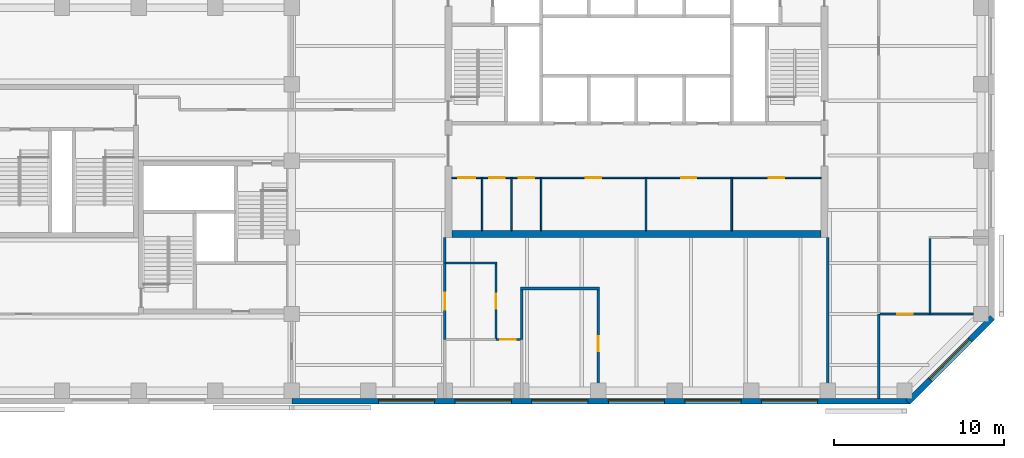
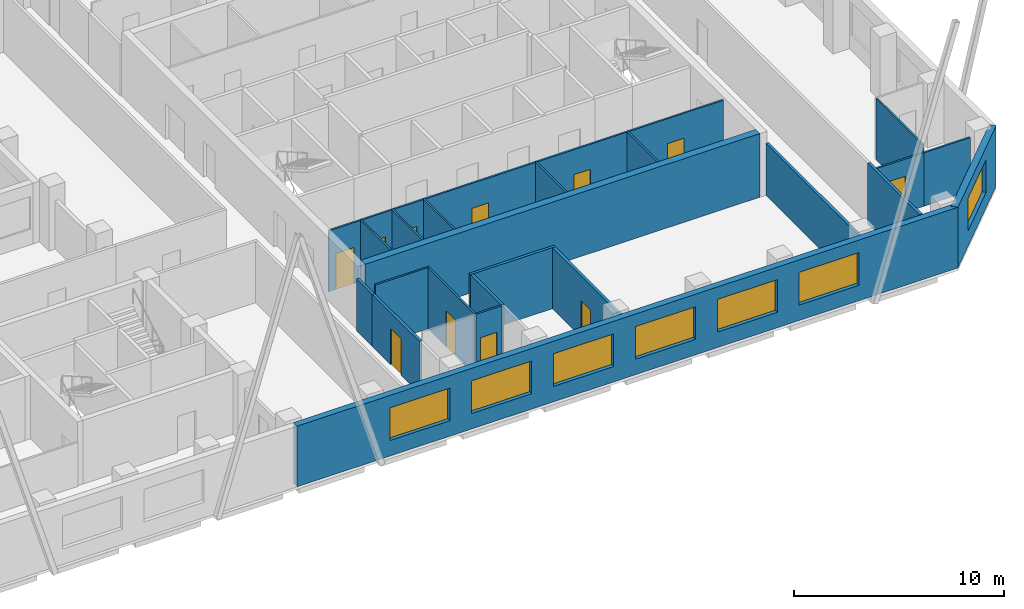
# One storey, part 4 of 9: 22 walls, 11 doors, 7 windows, 18 openings.
"""IFC4 building model written with IfcOpenShell, lengths in metres."""

from ifc_helpers import new_model, si_unit, direction, frame, frame_2d, origin, place, context, subcontext, project, spatial, rectangle, extrude, material, layer, layer_set, constituent, constituent_set, type_object, element, fill, save


model = new_model("IFC4")

# Units and contexts
model_context = context("Model", 3, precision=1e-05, world=origin(), true_north=direction((0.0, 1.0)))
body_context = subcontext(model_context, "Body", "Model", "MODEL_VIEW")
ifc_project = project(units=[si_unit("LENGTHUNIT", "METRE"), si_unit("AREAUNIT", "SQUARE_METRE"), si_unit("VOLUMEUNIT", "CUBIC_METRE"), si_unit("PLANEANGLEUNIT", "RADIAN"), si_unit("MASSUNIT", "GRAM", prefix="KILO")], contexts=[model_context])

# Site, building, storey
site_placement = place(None, origin())
site = spatial("IfcSite", under=ifc_project, at=site_placement, CompositionType="ELEMENT")
building_placement = place(site_placement, origin())
building = spatial("IfcBuilding", under=site, at=building_placement, Name="Quoin Convention Tower", CompositionType="ELEMENT")
storey_placement = place(building_placement, frame((0.0, 0.0, 173.60009765625)))
storey = spatial("IfcBuildingStorey", under=building, at=storey_placement, Name="L45", CompositionType="ELEMENT", Elevation=173.60009765625)

# Wall
ifc_material_1 = material(Name="Plasterboard")
ifc_layer_1 = layer(ifc_material_1, 0.012451171875, Name="Finish")
ifc_material_2 = material(Name="Steel stud framing", Category="steel")
ifc_layer_2 = layer(ifc_material_2, 0.125, Name="Structure")
ifc_layer_3 = layer(ifc_material_1, 0.012451171875, Name="Finish")
ifc_layer_set_1 = layer_set([ifc_layer_1, ifc_layer_2, ifc_layer_3], Name="Steel stud framing")
wall_type_1 = type_object("IfcWallType", Name="Acoustic partition 150", PredefinedType="PARTITIONING", material=ifc_layer_set_1)
wall_1_placement = place(storey_placement, frame((49.425048828125, 46.5, 0.0), z_axis=(0.0, 0.0, 1.0), x_axis=(1.0, 0.0, 0.0)))
element("IfcWall", 1, at=wall_1_placement, inside=storey, type_object=wall_type_1, Name="pw-L45-009", PredefinedType="PARTITIONING", context=body_context, shape_type="SweptSolid", body=[
    extrude(rectangle(XDim=4.64990234375, YDim=0.14990234375, at=frame_2d((2.324951171875, 0.0))), origin(), (0.0, 0.0, 1.0), 3.5498046875),
])

# Wall, opening, door
wall_2_placement = place(storey_placement, frame((54.0, 40.050048828125, 0.0), z_axis=(0.0, 0.0, 1.0), x_axis=(0.0, 1.0, 0.0)))
wall_2 = element("IfcWall", 2, at=wall_2_placement, inside=storey, type_object=wall_type_1, Name="pw-L45-030", PredefinedType="PARTITIONING", context=body_context, shape_type="SweptSolid", body=[
    extrude(rectangle(XDim=6.375, YDim=0.14990234375, at=frame_2d((3.1875, 0.0))), origin(), (0.0, 0.0, 1.0), 3.5498046875),
])
opening_1_placement = place(wall_2_placement, frame((2.75, 0.0, 0.0)))
opening_1 = element("IfcOpeningElement", 3, at=opening_1_placement, cuts=wall_2, Name="Opening DOH4-10", PredefinedType="OPENING", context=body_context, shape_type="SweptSolid", body=[
    extrude(rectangle(XDim=0.89990234375, YDim=2.10009765625, at=frame_2d((0.449951171875, 1.050048828125))), frame((0.0, 0.0849609375, 0.0), z_axis=(0.0, -1.0, 0.0), x_axis=(1.0, 0.0, 0.0)), (0.0, 0.0, 1.0), 0.169921875),
])
ifc_material_3 = material(Name="Steel door leaf", Category="steel")
door_type_1 = type_object("IfcDoorType", Name="Office door 900 x 2100", OperationType="SINGLE_SWING_RIGHT", PredefinedType="DOOR", material=ifc_material_3)
door_1_placement = place(opening_1_placement, frame((0.89990234375, 0.0, 0.0), z_axis=(0.0, 0.0, 1.0), x_axis=(-1.0, 0.0, 0.0)))
door_1 = element("IfcDoor", 4, at=door_1_placement, inside=storey, type_object=door_type_1, Name="dr-L45-13", OperationType="SINGLE_SWING_LEFT", OverallHeight=2.10009765625, OverallWidth=0.89990234375, PredefinedType="DOOR", context=body_context, shape_type="SweptSolid", body=[
    extrude(rectangle(XDim=0.89990234375, YDim=2.10009765625, at=frame_2d((0.449951171875, 1.050048828125))), frame((0.0, 0.02490234375, 0.0), z_axis=(0.0, -1.0, 0.0), x_axis=(1.0, 0.0, 0.0)), (0.0, 0.0, 1.0), 0.050048828125),
])
fill(opening_1, door_1)

# Wall
wall_3_placement = place(storey_placement, frame((49.5, 43.5, 0.0), z_axis=(0.0, 0.0, 1.0), x_axis=(0.0, 1.0, 0.0)))
element("IfcWall", 5, at=wall_3_placement, inside=storey, type_object=wall_type_1, Name="pw-L45-036", PredefinedType="PARTITIONING", context=body_context, shape_type="SweptSolid", body=[
    extrude(rectangle(XDim=2.925048828125, YDim=0.14990234375, at=frame_2d((1.46240234375, 0.0))), origin(), (0.0, 0.0, 1.0), 3.5498046875),
])

# Wall, openings, windows
ifc_material_4 = material(Name="Brick masonry", Category="masonry")
ifc_layer_4 = layer(ifc_material_4, 0.35009765625)
ifc_layer_set_2 = layer_set([ifc_layer_4], Name="Brick masonry")
wall_type_2 = type_object("IfcWallType", Name="Brick facade wall", PredefinedType="STANDARD", material=ifc_layer_set_2)
wall_4_placement = place(storey_placement, frame((36.0, 39.875, 0.0), z_axis=(0.0, 0.0, 1.0), x_axis=(1.0, 0.0, 0.0)))
wall_4 = element("IfcWall", 6, at=wall_4_placement, inside=storey, type_object=wall_type_2, Name="fw-L45-36000_40500", PredefinedType="STANDARD", context=body_context, shape_type="SweptSolid", body=[
    extrude(rectangle(XDim=36.331298828125, YDim=0.35009765625, at=frame_2d((18.16552734375, 0.0))), origin(), (0.0, 0.0, 1.0), 3.52490234375),
])
opening_2_placement = place(wall_4_placement, frame((5.10009765625, 0.0, 0.89990234375)))
opening_2 = element("IfcOpeningElement", 7, at=opening_2_placement, cuts=wall_4, Name="Opening W-02", PredefinedType="OPENING", context=body_context, shape_type="SweptSolid", body=[
    extrude(rectangle(XDim=3.300048828125, YDim=1.89990234375, at=frame_2d((1.64990234375, 0.949951171875))), frame((0.0, 0.18505859375, 0.0), z_axis=(0.0, -1.0, 0.0), x_axis=(1.0, 0.0, 0.0)), (0.0, 0.0, 1.0), 0.3701171875),
])
opening_3_placement = place(wall_4_placement, frame((9.60009765625, 0.0, 0.89990234375)))
opening_3 = element("IfcOpeningElement", 8, at=opening_3_placement, cuts=wall_4, Name="Opening W-02", PredefinedType="OPENING", context=body_context, shape_type="SweptSolid", body=[
    extrude(rectangle(XDim=3.300048828125, YDim=1.89990234375, at=frame_2d((1.64990234375, 0.949951171875))), frame((0.0, 0.18505859375, 0.0), z_axis=(0.0, -1.0, 0.0), x_axis=(1.0, 0.0, 0.0)), (0.0, 0.0, 1.0), 0.3701171875),
])
opening_4_placement = place(wall_4_placement, frame((14.10009765625, 0.0, 0.89990234375)))
opening_4 = element("IfcOpeningElement", 9, at=opening_4_placement, cuts=wall_4, Name="Opening W-02", PredefinedType="OPENING", context=body_context, shape_type="SweptSolid", body=[
    extrude(rectangle(XDim=3.300048828125, YDim=1.89990234375, at=frame_2d((1.64990234375, 0.949951171875))), frame((0.0, 0.18505859375, 0.0), z_axis=(0.0, -1.0, 0.0), x_axis=(1.0, 0.0, 0.0)), (0.0, 0.0, 1.0), 0.3701171875),
])
opening_5_placement = place(wall_4_placement, frame((18.60009765625, 0.0, 0.89990234375)))
opening_5 = element("IfcOpeningElement", 10, at=opening_5_placement, cuts=wall_4, Name="Opening W-02", PredefinedType="OPENING", context=body_context, shape_type="SweptSolid", body=[
    extrude(rectangle(XDim=3.300048828125, YDim=1.89990234375, at=frame_2d((1.64990234375, 0.949951171875))), frame((0.0, 0.18505859375, 0.0), z_axis=(0.0, -1.0, 0.0), x_axis=(1.0, 0.0, 0.0)), (0.0, 0.0, 1.0), 0.3701171875),
])
opening_6_placement = place(wall_4_placement, frame((23.10009765625, 0.0, 0.89990234375)))
opening_6 = element("IfcOpeningElement", 11, at=opening_6_placement, cuts=wall_4, Name="Opening W-02", PredefinedType="OPENING", context=body_context, shape_type="SweptSolid", body=[
    extrude(rectangle(XDim=3.300048828125, YDim=1.89990234375, at=frame_2d((1.64990234375, 0.949951171875))), frame((0.0, 0.18505859375, 0.0), z_axis=(0.0, -1.0, 0.0), x_axis=(1.0, 0.0, 0.0)), (0.0, 0.0, 1.0), 0.3701171875),
])
opening_7_placement = place(wall_4_placement, frame((27.60009765625, 0.0, 0.89990234375)))
opening_7 = element("IfcOpeningElement", 12, at=opening_7_placement, cuts=wall_4, Name="Opening W-02", PredefinedType="OPENING", context=body_context, shape_type="SweptSolid", body=[
    extrude(rectangle(XDim=3.300048828125, YDim=1.89990234375, at=frame_2d((1.64990234375, 0.949951171875))), frame((0.0, 0.18505859375, 0.0), z_axis=(0.0, -1.0, 0.0), x_axis=(1.0, 0.0, 0.0)), (0.0, 0.0, 1.0), 0.3701171875),
])
ifc_material_5 = material(Name="Aluminium", Category="aluminium")
ifc_constituent_1 = constituent(ifc_material_5, Name="Frame")
ifc_material_6 = material(Name="Insulated glass", Category="glass")
ifc_constituent_2 = constituent(ifc_material_6, Name="Glazing")
ifc_constituent_set = constituent_set(constituents=[ifc_constituent_1, ifc_constituent_2], Name="Aluminium")
window_type = type_object("IfcWindowType", Name="Office window", PartitioningType="DOUBLE_PANEL_VERTICAL", PredefinedType="WINDOW", material=ifc_constituent_set)
window_1_placement = place(opening_2_placement, origin())
window_1 = element("IfcWindow", 13, at=window_1_placement, inside=storey, type_object=window_type, Name="win-L45-42750_39875", OverallHeight=1.89990234375, OverallWidth=3.300048828125, PartitioningType="SINGLE_PANEL", PredefinedType="WINDOW", context=body_context, shape_type="SweptSolid", body=[
    extrude(rectangle(XDim=3.300048828125, YDim=1.89990234375, at=frame_2d((1.64990234375, 0.949951171875))), frame((0.0, 0.0849609375, 0.0), z_axis=(0.0, -1.0, 0.0), x_axis=(1.0, 0.0, 0.0)), (0.0, 0.0, 1.0), 0.06005859375),
])
fill(opening_2, window_1)
window_2_placement = place(opening_3_placement, origin())
window_2 = element("IfcWindow", 14, at=window_2_placement, inside=storey, type_object=window_type, Name="win-L45-47250_39875", OverallHeight=1.89990234375, OverallWidth=3.300048828125, PartitioningType="SINGLE_PANEL", PredefinedType="WINDOW", context=body_context, shape_type="SweptSolid", body=[
    extrude(rectangle(XDim=3.300048828125, YDim=1.89990234375, at=frame_2d((1.64990234375, 0.949951171875))), frame((0.0, 0.0849609375, 0.0), z_axis=(0.0, -1.0, 0.0), x_axis=(1.0, 0.0, 0.0)), (0.0, 0.0, 1.0), 0.06005859375),
])
fill(opening_3, window_2)
window_3_placement = place(opening_4_placement, origin())
window_3 = element("IfcWindow", 15, at=window_3_placement, inside=storey, type_object=window_type, Name="win-L45-51750_39875", OverallHeight=1.89990234375, OverallWidth=3.300048828125, PartitioningType="SINGLE_PANEL", PredefinedType="WINDOW", context=body_context, shape_type="SweptSolid", body=[
    extrude(rectangle(XDim=3.300048828125, YDim=1.89990234375, at=frame_2d((1.64990234375, 0.949951171875))), frame((0.0, 0.0849609375, 0.0), z_axis=(0.0, -1.0, 0.0), x_axis=(1.0, 0.0, 0.0)), (0.0, 0.0, 1.0), 0.06005859375),
])
fill(opening_4, window_3)
window_4_placement = place(opening_5_placement, origin())
window_4 = element("IfcWindow", 16, at=window_4_placement, inside=storey, type_object=window_type, Name="win-L45-56250_39875", OverallHeight=1.89990234375, OverallWidth=3.300048828125, PartitioningType="SINGLE_PANEL", PredefinedType="WINDOW", context=body_context, shape_type="SweptSolid", body=[
    extrude(rectangle(XDim=3.300048828125, YDim=1.89990234375, at=frame_2d((1.64990234375, 0.949951171875))), frame((0.0, 0.0849609375, 0.0), z_axis=(0.0, -1.0, 0.0), x_axis=(1.0, 0.0, 0.0)), (0.0, 0.0, 1.0), 0.06005859375),
])
fill(opening_5, window_4)
window_5_placement = place(opening_6_placement, origin())
window_5 = element("IfcWindow", 17, at=window_5_placement, inside=storey, type_object=window_type, Name="win-L45-60750_39875", OverallHeight=1.89990234375, OverallWidth=3.300048828125, PartitioningType="SINGLE_PANEL", PredefinedType="WINDOW", context=body_context, shape_type="SweptSolid", body=[
    extrude(rectangle(XDim=3.300048828125, YDim=1.89990234375, at=frame_2d((1.64990234375, 0.949951171875))), frame((0.0, 0.0849609375, 0.0), z_axis=(0.0, -1.0, 0.0), x_axis=(1.0, 0.0, 0.0)), (0.0, 0.0, 1.0), 0.06005859375),
])
fill(opening_6, window_5)
window_6_placement = place(opening_7_placement, origin())
window_6 = element("IfcWindow", 18, at=window_6_placement, inside=storey, type_object=window_type, Name="win-L45-65250_39875", OverallHeight=1.89990234375, OverallWidth=3.300048828125, PartitioningType="SINGLE_PANEL", PredefinedType="WINDOW", context=body_context, shape_type="SweptSolid", body=[
    extrude(rectangle(XDim=3.300048828125, YDim=1.89990234375, at=frame_2d((1.64990234375, 0.949951171875))), frame((0.0, 0.0849609375, 0.0), z_axis=(0.0, -1.0, 0.0), x_axis=(1.0, 0.0, 0.0)), (0.0, 0.0, 1.0), 0.06005859375),
])
fill(opening_7, window_6)

# Wall, opening, window
wall_5_placement = place(storey_placement, frame((72.20751953125, 39.82373046875, 0.0), z_axis=(0.0, 0.0, 1.0), x_axis=(0.707106781187, 0.707106781187, 0.0)))
wall_5 = element("IfcWall", 19, at=wall_5_placement, inside=storey, type_object=wall_type_2, Name="fw-L45-72000_40500", PredefinedType="STANDARD", context=body_context, shape_type="SweptSolid", body=[
    extrude(rectangle(XDim=7.02685546875, YDim=0.35009765625, at=frame_2d((3.513427734375, 0.0))), origin(), (0.0, 0.0, 1.0), 3.52490234375),
])
opening_8_placement = place(wall_5_placement, frame((1.86328125, 0.0, 0.89990234375)))
opening_8 = element("IfcOpeningElement", 20, at=opening_8_placement, cuts=wall_5, Name="Opening W-02", PredefinedType="OPENING", context=body_context, shape_type="SweptSolid", body=[
    extrude(rectangle(XDim=3.300048828125, YDim=1.89990234375, at=frame_2d((1.64990234375, 0.949951171875))), frame((0.0, 0.18505859375, 0.0), z_axis=(0.0, -1.0, 0.0), x_axis=(1.0, 0.0, 0.0)), (0.0, 0.0, 1.0), 0.3701171875),
])
window_7_placement = place(opening_8_placement, origin())
window_7 = element("IfcWindow", 21, at=window_7_placement, inside=storey, type_object=window_type, Name="win-L45-74692_42308", OverallHeight=1.89990234375, OverallWidth=3.300048828125, PartitioningType="SINGLE_PANEL", PredefinedType="WINDOW", context=body_context, shape_type="SweptSolid", body=[
    extrude(rectangle(XDim=3.300048828125, YDim=1.89990234375, at=frame_2d((1.64990234375, 0.949951171875))), frame((0.0, 0.0849609375, 0.0), z_axis=(0.0, -1.0, 0.0), x_axis=(1.0, 0.0, 0.0)), (0.0, 0.0, 1.0), 0.06005859375),
])
fill(opening_8, window_7)

# Wall, openings, doors
ifc_layer_5 = layer(ifc_material_1, 0.012451171875, Name="Finish")
ifc_layer_6 = layer(ifc_material_2, 0.074951171875, Name="Structure")
ifc_layer_7 = layer(ifc_material_1, 0.012451171875, Name="Finish")
ifc_layer_set_3 = layer_set([ifc_layer_5, ifc_layer_6, ifc_layer_7], Name="Steel stud framing")
wall_type_3 = type_object("IfcWallType", Name="Core partition wall", PredefinedType="PARTITIONING", material=ifc_layer_set_3)
wall_6_placement = place(storey_placement, frame((45.39990234375, 53.0, 0.0), z_axis=(0.0, 0.0, 1.0), x_axis=(1.0, 0.0, 0.0)))
wall_6 = element("IfcWall", 22, at=wall_6_placement, inside=storey, type_object=wall_type_3, Name="cr-C1-L45-h3500_400", PredefinedType="PARTITIONING", context=body_context, shape_type="SweptSolid", body=[
    extrude(rectangle(XDim=21.7001953125, YDim=0.10009765625, at=frame_2d((10.85009765625, 0.0))), origin(), (0.0, 0.0, 1.0), 3.5498046875),
])
opening_9_placement = place(wall_6_placement, frame((18.625, 0.0, 0.0)))
opening_9 = element("IfcOpeningElement", 23, at=opening_9_placement, cuts=wall_6, Name="Opening DCV3-30", PredefinedType="OPENING", context=body_context, shape_type="SweptSolid", body=[
    extrude(rectangle(XDim=0.89990234375, YDim=2.10009765625, at=frame_2d((0.449951171875, 1.050048828125))), frame((0.0, 0.06005859375, 0.0), z_axis=(0.0, -1.0, 0.0), x_axis=(1.0, 0.0, 0.0)), (0.0, 0.0, 1.0), 0.1201171875),
])
opening_10_placement = place(wall_6_placement, frame((0.392578125, 0.0, 0.0)))
opening_10 = element("IfcOpeningElement", 24, at=opening_10_placement, cuts=wall_6, Name="Opening DCV3-21", PredefinedType="OPENING", context=body_context, shape_type="SweptSolid", body=[
    extrude(rectangle(XDim=1.0, YDim=2.10009765625, at=frame_2d((0.5, 1.050048828125))), frame((0.0, 0.06005859375, 0.0), z_axis=(0.0, -1.0, 0.0), x_axis=(1.0, 0.0, 0.0)), (0.0, 0.0, 1.0), 0.1201171875),
])
opening_11_placement = place(wall_6_placement, frame((2.201416015625, 0.0, 0.0)))
opening_11 = element("IfcOpeningElement", 25, at=opening_11_placement, cuts=wall_6, Name="Opening DCV3-22", PredefinedType="OPENING", context=body_context, shape_type="SweptSolid", body=[
    extrude(rectangle(XDim=0.89990234375, YDim=2.10009765625, at=frame_2d((0.449951171875, 1.050048828125))), frame((0.0, 0.06005859375, 0.0), z_axis=(0.0, -1.0, 0.0), x_axis=(1.0, 0.0, 0.0)), (0.0, 0.0, 1.0), 0.1201171875),
])
opening_12_placement = place(wall_6_placement, frame((3.93359375, 0.0, 0.0)))
opening_12 = element("IfcOpeningElement", 26, at=opening_12_placement, cuts=wall_6, Name="Opening DCV3-23", PredefinedType="OPENING", context=body_context, shape_type="SweptSolid", body=[
    extrude(rectangle(XDim=0.89990234375, YDim=2.10009765625, at=frame_2d((0.449951171875, 1.050048828125))), frame((0.0, 0.06005859375, 0.0), z_axis=(0.0, -1.0, 0.0), x_axis=(1.0, 0.0, 0.0)), (0.0, 0.0, 1.0), 0.1201171875),
])
opening_13_placement = place(wall_6_placement, frame((7.8798828125, 0.0, 0.0)))
opening_13 = element("IfcOpeningElement", 27, at=opening_13_placement, cuts=wall_6, Name="Opening DCV3-25", PredefinedType="OPENING", context=body_context, shape_type="SweptSolid", body=[
    extrude(rectangle(XDim=0.89990234375, YDim=2.10009765625, at=frame_2d((0.449951171875, 1.050048828125))), frame((0.0, 0.06005859375, 0.0), z_axis=(0.0, -1.0, 0.0), x_axis=(1.0, 0.0, 0.0)), (0.0, 0.0, 1.0), 0.1201171875),
])
opening_14_placement = place(wall_6_placement, frame((13.47998046875, 0.0, 0.0)))
opening_14 = element("IfcOpeningElement", 28, at=opening_14_placement, cuts=wall_6, Name="Opening DCV3-28", PredefinedType="OPENING", context=body_context, shape_type="SweptSolid", body=[
    extrude(rectangle(XDim=0.89990234375, YDim=2.10009765625, at=frame_2d((0.449951171875, 1.050048828125))), frame((0.0, 0.06005859375, 0.0), z_axis=(0.0, -1.0, 0.0), x_axis=(1.0, 0.0, 0.0)), (0.0, 0.0, 1.0), 0.1201171875),
])
door_type_2 = type_object("IfcDoorType", Name="Core room door 1000 x 2100", OperationType="SINGLE_SWING_LEFT", PredefinedType="DOOR", material=ifc_material_3)
door_2_placement = place(opening_10_placement, frame((1.0, 0.0, 0.0), z_axis=(0.0, 0.0, 1.0), x_axis=(-1.0, 0.0, 0.0)))
door_2 = element("IfcDoor", 29, at=door_2_placement, inside=storey, type_object=door_type_2, Name="cd-C1-L45-CSW0-lobA-CD4512", OperationType="SINGLE_SWING_LEFT", OverallHeight=2.10009765625, OverallWidth=1.0, PredefinedType="DOOR", context=body_context, shape_type="SweptSolid", body=[
    extrude(rectangle(XDim=1.0, YDim=2.10009765625, at=frame_2d((0.5, 1.050048828125))), frame((0.0, 0.02490234375, 0.0), z_axis=(0.0, -1.0, 0.0), x_axis=(1.0, 0.0, 0.0)), (0.0, 0.0, 1.0), 0.050048828125),
])
fill(opening_10, door_2)
door_type_3 = type_object("IfcDoorType", Name="Core room door 900 x 2100", OperationType="SINGLE_SWING_LEFT", PredefinedType="DOOR", material=ifc_material_3)
door_3_placement = place(opening_9_placement, frame((0.89990234375, 0.0, 0.0), z_axis=(0.0, 0.0, 1.0), x_axis=(-1.0, 0.0, 0.0)))
door_3 = element("IfcDoor", 30, at=door_3_placement, inside=storey, type_object=door_type_3, Name="cd-C1-L45-CSE0-lobA-CD4511", OperationType="SINGLE_SWING_RIGHT", OverallHeight=2.10009765625, OverallWidth=0.89990234375, PredefinedType="DOOR", context=body_context, shape_type="SweptSolid", body=[
    extrude(rectangle(XDim=0.89990234375, YDim=2.10009765625, at=frame_2d((0.449951171875, 1.050048828125))), frame((0.0, 0.02490234375, 0.0), z_axis=(0.0, -1.0, 0.0), x_axis=(1.0, 0.0, 0.0)), (0.0, 0.0, 1.0), 0.050048828125),
])
fill(opening_9, door_3)
door_4_placement = place(opening_11_placement, frame((0.89990234375, 0.0, 0.0), z_axis=(0.0, 0.0, 1.0), x_axis=(-1.0, 0.0, 0.0)))
door_4 = element("IfcDoor", 31, at=door_4_placement, inside=storey, type_object=door_type_3, Name="cd-C1-L45-CSW1-lobA-CD4513", OperationType="SINGLE_SWING_LEFT", OverallHeight=2.10009765625, OverallWidth=0.89990234375, PredefinedType="DOOR", context=body_context, shape_type="SweptSolid", body=[
    extrude(rectangle(XDim=0.89990234375, YDim=2.10009765625, at=frame_2d((0.449951171875, 1.050048828125))), frame((0.0, 0.02490234375, 0.0), z_axis=(0.0, -1.0, 0.0), x_axis=(1.0, 0.0, 0.0)), (0.0, 0.0, 1.0), 0.050048828125),
])
fill(opening_11, door_4)
door_5_placement = place(opening_12_placement, frame((0.89990234375, 0.0, 0.0), z_axis=(0.0, 0.0, 1.0), x_axis=(-1.0, 0.0, 0.0)))
door_5 = element("IfcDoor", 32, at=door_5_placement, inside=storey, type_object=door_type_3, Name="cd-C1-L45-CSW2-lobA-CD4514", OperationType="SINGLE_SWING_LEFT", OverallHeight=2.10009765625, OverallWidth=0.89990234375, PredefinedType="DOOR", context=body_context, shape_type="SweptSolid", body=[
    extrude(rectangle(XDim=0.89990234375, YDim=2.10009765625, at=frame_2d((0.449951171875, 1.050048828125))), frame((0.0, 0.02490234375, 0.0), z_axis=(0.0, -1.0, 0.0), x_axis=(1.0, 0.0, 0.0)), (0.0, 0.0, 1.0), 0.050048828125),
])
fill(opening_12, door_5)
door_6_placement = place(opening_13_placement, frame((0.89990234375, 0.0, 0.0), z_axis=(0.0, 0.0, 1.0), x_axis=(-1.0, 0.0, 0.0)))
door_6 = element("IfcDoor", 33, at=door_6_placement, inside=storey, type_object=door_type_3, Name="cd-C1-L45-F10-lobA-CD4515", OperationType="SINGLE_SWING_LEFT", OverallHeight=2.10009765625, OverallWidth=0.89990234375, PredefinedType="DOOR", context=body_context, shape_type="SweptSolid", body=[
    extrude(rectangle(XDim=0.89990234375, YDim=2.10009765625, at=frame_2d((0.449951171875, 1.050048828125))), frame((0.0, 0.02490234375, 0.0), z_axis=(0.0, -1.0, 0.0), x_axis=(1.0, 0.0, 0.0)), (0.0, 0.0, 1.0), 0.050048828125),
])
fill(opening_13, door_6)
door_7_placement = place(opening_14_placement, frame((0.89990234375, 0.0, 0.0), z_axis=(0.0, 0.0, 1.0), x_axis=(-1.0, 0.0, 0.0)))
door_7 = element("IfcDoor", 34, at=door_7_placement, inside=storey, type_object=door_type_3, Name="cd-C1-L45-F11-lobA-CD4516", OperationType="SINGLE_SWING_LEFT", OverallHeight=2.10009765625, OverallWidth=0.89990234375, PredefinedType="DOOR", context=body_context, shape_type="SweptSolid", body=[
    extrude(rectangle(XDim=0.89990234375, YDim=2.10009765625, at=frame_2d((0.449951171875, 1.050048828125))), frame((0.0, 0.02490234375, 0.0), z_axis=(0.0, -1.0, 0.0), x_axis=(1.0, 0.0, 0.0)), (0.0, 0.0, 1.0), 0.050048828125),
])
fill(opening_14, door_7)

# Walls
for number, where, z_axis, x_axis, name in (
    (35, (47.18505859375, 49.89990234375, 0.0), (0.0, 0.0, 1.0), (0.0, 1.0, 0.0), "cr-C1-L45-v2185_400"),
    (36, (48.91748046875, 49.89990234375, 0.0), (0.0, 0.0, 1.0), (0.0, 1.0, 0.0), "cr-C1-L45-v3918_400"),
    (37, (50.64990234375, 49.89990234375, 0.0), (0.0, 0.0, 1.0), (0.0, 1.0, 0.0), "cr-C1-L45-v5650_400"),
    (38, (56.81005859375, 49.89990234375, 0.0), (0.0, 0.0, 1.0), (0.0, 1.0, 0.0), "cr-C1-L45-v11810_400"),
    (39, (61.85009765625, 49.89990234375, 0.0), (0.0, 0.0, 1.0), (0.0, 1.0, 0.0), "cr-C1-L45-v16850_400"),
):
    element("IfcWall", number, at=place(storey_placement, frame(where, z_axis=z_axis, x_axis=x_axis)), inside=storey, type_object=wall_type_3, Name=name, PredefinedType="PARTITIONING", context=body_context, shape_type="SweptSolid", body=[
        extrude(rectangle(XDim=3.10009765625, YDim=0.10009765625, at=frame_2d((1.550048828125, 0.0))), origin(), (0.0, 0.0, 1.0), 3.5498046875),
    ])
ifc_layer_8 = layer(ifc_material_1, 0.012451171875, Name="Finish")
ifc_layer_9 = layer(ifc_material_2, 0.125, Name="Structure")
ifc_layer_10 = layer(ifc_material_1, 0.012451171875, Name="Finish")
ifc_layer_set_4 = layer_set([ifc_layer_8, ifc_layer_9, ifc_layer_10], Name="Steel stud framing")
wall_type_4 = type_object("IfcWallType", Name="Corridor wall 150", PredefinedType="PARTITIONING", material=ifc_layer_set_4)
wall_7_placement = place(storey_placement, frame((70.5, 40.050048828125, 0.0), z_axis=(0.0, 0.0, 1.0), x_axis=(0.0, 1.0, 0.0)))
element("IfcWall", 40, at=wall_7_placement, inside=storey, type_object=wall_type_4, Name="pw-L45-032", PredefinedType="PARTITIONING", context=body_context, shape_type="SweptSolid", body=[
    extrude(rectangle(XDim=4.949951171875, YDim=0.14990234375, at=frame_2d((2.47509765625, 0.0))), origin(), (0.0, 0.0, 1.0), 3.5498046875),
])
ifc_layer_11 = layer(ifc_material_1, 0.012451171875, Name="Finish")
ifc_layer_12 = layer(ifc_material_2, 0.125, Name="Structure")
ifc_layer_13 = layer(ifc_material_1, 0.012451171875, Name="Finish")
ifc_layer_set_5 = layer_set([ifc_layer_11, ifc_layer_12, ifc_layer_13], Name="Steel stud framing")
wall_type_5 = type_object("IfcWallType", Name="Corridor wall 150 under beam 528", PredefinedType="PARTITIONING", material=ifc_layer_set_5)
wall_8_placement = place(storey_placement, frame((67.5, 40.050048828125, 0.0), z_axis=(0.0, 0.0, 1.0), x_axis=(0.0, 1.0, 0.0)))
element("IfcWall", 41, at=wall_8_placement, inside=storey, type_object=wall_type_5, Name="pw-L45-031", PredefinedType="PARTITIONING", context=body_context, shape_type="SweptSolid", body=[
    extrude(rectangle(XDim=9.449951171875, YDim=0.14990234375, at=frame_2d((4.72509765625, 0.0))), origin(), (0.0, 0.0, 1.0), 3.02197265625),
])

# Wall, opening, door
wall_9_placement = place(storey_placement, frame((45.0, 43.5, 0.0), z_axis=(0.0, 0.0, 1.0), x_axis=(0.0, 1.0, 0.0)))
wall_9 = element("IfcWall", 42, at=wall_9_placement, inside=storey, type_object=wall_type_5, Name="pw-L45-035", PredefinedType="PARTITIONING", context=body_context, shape_type="SweptSolid", body=[
    extrude(rectangle(XDim=4.5, YDim=0.14990234375, at=frame_2d((2.25, 0.0))), origin(), (0.0, 0.0, 1.0), 3.02197265625),
])
opening_15_placement = place(wall_9_placement, frame((1.75, 0.0, 0.0)))
opening_15 = element("IfcOpeningElement", 43, at=opening_15_placement, cuts=wall_9, Name="Opening DOH4-12", PredefinedType="OPENING", context=body_context, shape_type="SweptSolid", body=[
    extrude(rectangle(XDim=1.0, YDim=2.10009765625, at=frame_2d((0.5, 1.050048828125))), frame((0.0, 0.0849609375, 0.0), z_axis=(0.0, -1.0, 0.0), x_axis=(1.0, 0.0, 0.0)), (0.0, 0.0, 1.0), 0.169921875),
])
door_type_4 = type_object("IfcDoorType", Name="Tenancy entrance door 1000 x 2100", OperationType="DOUBLE_DOOR_SINGLE_SWING", PredefinedType="DOOR", material=ifc_material_3)
door_8_placement = place(opening_15_placement, frame((1.0, 0.0, 0.0), z_axis=(0.0, 0.0, 1.0), x_axis=(-1.0, 0.0, 0.0)))
door_8 = element("IfcDoor", 44, at=door_8_placement, inside=storey, type_object=door_type_4, Name="dr-L45-11", OperationType="DOUBLE_DOOR_SINGLE_SWING", OverallHeight=2.10009765625, OverallWidth=1.0, PredefinedType="DOOR", context=body_context, shape_type="SweptSolid", body=[
    extrude(rectangle(XDim=1.0, YDim=2.10009765625, at=frame_2d((0.5, 1.050048828125))), frame((0.0, 0.02490234375, 0.0), z_axis=(0.0, -1.0, 0.0), x_axis=(1.0, 0.0, 0.0)), (0.0, 0.0, 1.0), 0.050048828125),
])
fill(opening_15, door_8)

# Walls
wall_10_placement = place(storey_placement, frame((45.0, 48.0, 0.0), z_axis=(0.0, 0.0, 1.0), x_axis=(0.0, 1.0, 0.0)))
element("IfcWall", 45, at=wall_10_placement, inside=storey, type_object=wall_type_5, Name="pw-L45-044", PredefinedType="PARTITIONING", context=body_context, shape_type="SweptSolid", body=[
    extrude(rectangle(XDim=1.5, YDim=0.14990234375, at=frame_2d((0.75, 0.0))), origin(), (0.0, 0.0, 1.0), 3.02197265625),
])
ifc_material_7 = material(Name="Concrete C50", Category="concrete")
ifc_layer_14 = layer(ifc_material_7, 0.39990234375)
ifc_layer_set_6 = layer_set([ifc_layer_14], Name="Concrete C50")
wall_type_6 = type_object("IfcWallType", Name="RC CORE WALL 400 C50", PredefinedType="SHEAR", material=ifc_layer_set_6)
wall_11_placement = place(storey_placement, frame((45.39990234375, 49.699951171875, 0.0), z_axis=(0.0, 0.0, 1.0), x_axis=(1.0, 0.0, 0.0)))
element("IfcWall", 46, at=wall_11_placement, inside=storey, type_object=wall_type_6, Name="cwl-C1-L45-S", PredefinedType="SHEAR", context=body_context, shape_type="SweptSolid", body=[
    extrude(rectangle(XDim=21.7001953125, YDim=0.39990234375, at=frame_2d((10.85009765625, 0.0))), origin(), (0.0, 0.0, 1.0), 3.699951171875),
])

# Wall, opening, door
ifc_layer_15 = layer(ifc_material_1, 0.012451171875, Name="Finish")
ifc_layer_16 = layer(ifc_material_2, 0.074951171875, Name="Structure")
ifc_layer_17 = layer(ifc_material_1, 0.012451171875, Name="Finish")
ifc_layer_set_7 = layer_set([ifc_layer_15, ifc_layer_16, ifc_layer_17], Name="Steel stud framing")
wall_type_7 = type_object("IfcWallType", Name="Stud partition 100", PredefinedType="PARTITIONING", material=ifc_layer_set_7)
wall_12_placement = place(storey_placement, frame((48.0, 43.5, 0.0), z_axis=(0.0, 0.0, 1.0), x_axis=(1.0, 0.0, 0.0)))
wall_12 = element("IfcWall", 47, at=wall_12_placement, inside=storey, type_object=wall_type_7, Name="pw-L45-003", PredefinedType="PARTITIONING", context=body_context, shape_type="SweptSolid", body=[
    extrude(rectangle(XDim=1.425048828125, YDim=0.10009765625, at=frame_2d((0.71240234375, 0.0))), origin(), (0.0, 0.0, 1.0), 3.5498046875),
])
opening_16_placement = place(wall_12_placement, frame((0.25, 0.0, 0.0)))
opening_16 = element("IfcOpeningElement", 48, at=opening_16_placement, cuts=wall_12, Name="Opening DOH4-01", PredefinedType="OPENING", context=body_context, shape_type="SweptSolid", body=[
    extrude(rectangle(XDim=0.89990234375, YDim=2.10009765625, at=frame_2d((0.449951171875, 1.050048828125))), frame((0.0, 0.06005859375, 0.0), z_axis=(0.0, -1.0, 0.0), x_axis=(1.0, 0.0, 0.0)), (0.0, 0.0, 1.0), 0.1201171875),
])
door_9_placement = place(opening_16_placement, origin())
door_9 = element("IfcDoor", 49, at=door_9_placement, inside=storey, type_object=door_type_1, Name="dr-L45-14", OperationType="SINGLE_SWING_LEFT", OverallHeight=2.10009765625, OverallWidth=0.89990234375, PredefinedType="DOOR", context=body_context, shape_type="SweptSolid", body=[
    extrude(rectangle(XDim=0.89990234375, YDim=2.10009765625, at=frame_2d((0.449951171875, 1.050048828125))), frame((0.0, 0.02490234375, 0.0), z_axis=(0.0, -1.0, 0.0), x_axis=(1.0, 0.0, 0.0)), (0.0, 0.0, 1.0), 0.050048828125),
])
fill(opening_16, door_9)

# Wall
wall_13_placement = place(storey_placement, frame((45.074951171875, 48.0, 0.0), z_axis=(0.0, 0.0, 1.0), x_axis=(1.0, 0.0, 0.0)))
element("IfcWall", 50, at=wall_13_placement, inside=storey, type_object=wall_type_7, Name="pw-L45-010", PredefinedType="PARTITIONING", context=body_context, shape_type="SweptSolid", body=[
    extrude(rectangle(XDim=2.97509765625, YDim=0.10009765625, at=frame_2d((1.487548828125, 0.0))), origin(), (0.0, 0.0, 1.0), 3.5498046875),
])

# Wall, opening, door
wall_14_placement = place(storey_placement, frame((48.0, 43.550048828125, 0.0), z_axis=(0.0, 0.0, 1.0), x_axis=(0.0, 1.0, 0.0)))
wall_14 = element("IfcWall", 51, at=wall_14_placement, inside=storey, type_object=wall_type_7, Name="pw-L45-037", PredefinedType="PARTITIONING", context=body_context, shape_type="SweptSolid", body=[
    extrude(rectangle(XDim=4.39990234375, YDim=0.10009765625, at=frame_2d((2.199951171875, 0.0))), origin(), (0.0, 0.0, 1.0), 3.5498046875),
])
opening_17_placement = place(wall_14_placement, frame((1.75, 0.0, 0.0)))
opening_17 = element("IfcOpeningElement", 52, at=opening_17_placement, cuts=wall_14, Name="Opening DOH4-13", PredefinedType="OPENING", context=body_context, shape_type="SweptSolid", body=[
    extrude(rectangle(XDim=0.89990234375, YDim=2.10009765625, at=frame_2d((0.449951171875, 1.050048828125))), frame((0.0, 0.06005859375, 0.0), z_axis=(0.0, -1.0, 0.0), x_axis=(1.0, 0.0, 0.0)), (0.0, 0.0, 1.0), 0.1201171875),
])
door_10_placement = place(opening_17_placement, frame((0.89990234375, 0.0, 0.0), z_axis=(0.0, 0.0, 1.0), x_axis=(-1.0, 0.0, 0.0)))
door_10 = element("IfcDoor", 53, at=door_10_placement, inside=storey, type_object=door_type_1, Name="dr-L45-12", OperationType="SINGLE_SWING_LEFT", OverallHeight=2.10009765625, OverallWidth=0.89990234375, PredefinedType="DOOR", context=body_context, shape_type="SweptSolid", body=[
    extrude(rectangle(XDim=0.89990234375, YDim=2.10009765625, at=frame_2d((0.449951171875, 1.050048828125))), frame((0.0, 0.02490234375, 0.0), z_axis=(0.0, -1.0, 0.0), x_axis=(1.0, 0.0, 0.0)), (0.0, 0.0, 1.0), 0.050048828125),
])
fill(opening_17, door_10)

# Wall
wall_15_placement = place(storey_placement, frame((73.5, 45.050048828125, 0.0), z_axis=(0.0, 0.0, 1.0), x_axis=(0.0, 1.0, 0.0)))
element("IfcWall", 54, at=wall_15_placement, inside=storey, type_object=wall_type_7, Name="pw-L45-040", PredefinedType="PARTITIONING", context=body_context, shape_type="SweptSolid", body=[
    extrude(rectangle(XDim=4.39990234375, YDim=0.10009765625, at=frame_2d((2.199951171875, 0.0))), origin(), (0.0, 0.0, 1.0), 3.5498046875),
])

# Wall, opening, door
ifc_layer_18 = layer(ifc_material_1, 0.012451171875, Name="Finish")
ifc_layer_19 = layer(ifc_material_2, 0.074951171875, Name="Structure")
ifc_layer_20 = layer(ifc_material_1, 0.012451171875, Name="Finish")
ifc_layer_set_8 = layer_set([ifc_layer_18, ifc_layer_19, ifc_layer_20], Name="Steel stud framing")
wall_type_8 = type_object("IfcWallType", Name="Stud partition 100 under beam 454", PredefinedType="PARTITIONING", material=ifc_layer_set_8)
wall_16_placement = place(storey_placement, frame((70.574951171875, 45.0, 0.0), z_axis=(0.0, 0.0, 1.0), x_axis=(1.0, 0.0, 0.0)))
wall_16 = element("IfcWall", 55, at=wall_16_placement, inside=storey, type_object=wall_type_8, Name="pw-L45-006", PredefinedType="PARTITIONING", context=body_context, shape_type="SweptSolid", body=[
    extrude(rectangle(XDim=2.925048828125, YDim=0.10009765625, at=frame_2d((1.46240234375, 0.0))), origin(), (0.0, 0.0, 1.0), 3.095947265625),
])
opening_18_placement = place(wall_16_placement, frame((1.0, 0.0, 0.0)))
opening_18 = element("IfcOpeningElement", 56, at=opening_18_placement, cuts=wall_16, Name="Opening DOH4-02", PredefinedType="OPENING", context=body_context, shape_type="SweptSolid", body=[
    extrude(rectangle(XDim=0.89990234375, YDim=2.10009765625, at=frame_2d((0.449951171875, 1.050048828125))), frame((0.0, 0.06005859375, 0.0), z_axis=(0.0, -1.0, 0.0), x_axis=(1.0, 0.0, 0.0)), (0.0, 0.0, 1.0), 0.1201171875),
])
door_11_placement = place(opening_18_placement, origin())
door_11 = element("IfcDoor", 57, at=door_11_placement, inside=storey, type_object=door_type_1, Name="dr-L45-23", OperationType="SINGLE_SWING_RIGHT", OverallHeight=2.10009765625, OverallWidth=0.89990234375, PredefinedType="DOOR", context=body_context, shape_type="SweptSolid", body=[
    extrude(rectangle(XDim=0.89990234375, YDim=2.10009765625, at=frame_2d((0.449951171875, 1.050048828125))), frame((0.0, 0.02490234375, 0.0), z_axis=(0.0, -1.0, 0.0), x_axis=(1.0, 0.0, 0.0)), (0.0, 0.0, 1.0), 0.050048828125),
])
fill(opening_18, door_11)

# Wall
wall_17_placement = place(storey_placement, frame((73.5, 45.0, 0.0), z_axis=(0.0, 0.0, 1.0), x_axis=(1.0, 0.0, 0.0)))
element("IfcWall", 58, at=wall_17_placement, inside=storey, type_object=wall_type_8, Name="pw-L45-007", PredefinedType="PARTITIONING", context=body_context, shape_type="SweptSolid", body=[
    extrude(rectangle(XDim=2.550048828125, YDim=0.10009765625, at=frame_2d((1.27490234375, 0.0))), origin(), (0.0, 0.0, 1.0), 3.095947265625),
])

save(model, "model.ifc")
